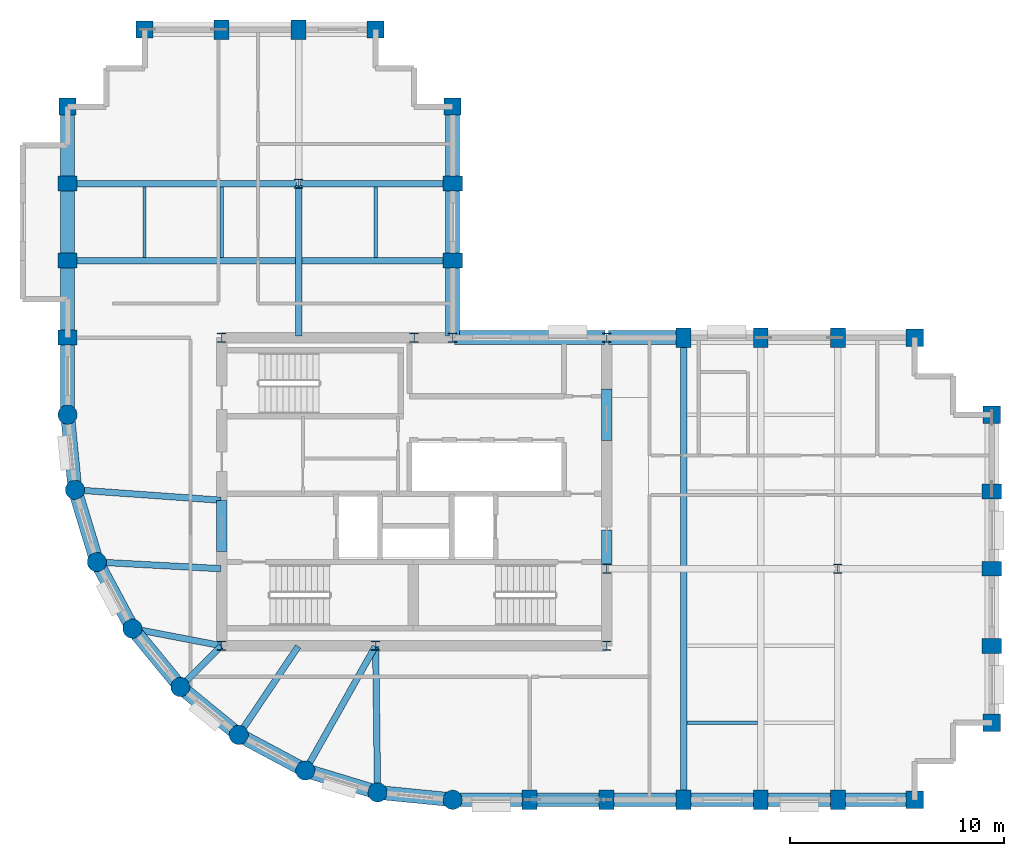
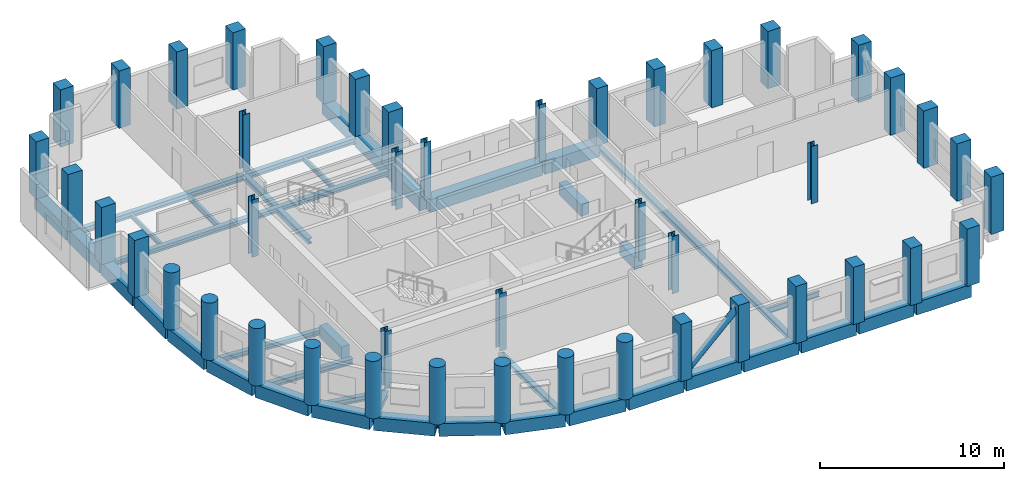
# One storey, part 1 of 8: 45 columns, 42 beams, 1 member.
"""IFC4 building model written with IfcOpenShell, lengths in metres."""

from ifc_helpers import new_model, si_unit, direction, frame, origin, origin_2d, place, context, subcontext, project, spatial, rectangle, circle, hollow_circle, i_section, extrude, material, material_profile, profile_set, type_object, element, save


model = new_model("IFC4")

# Units and contexts
model_context = context("Model", 3, precision=1e-05, world=origin(), true_north=direction((0.0, 1.0)))
body_context = subcontext(model_context, "Body", "Model", "MODEL_VIEW")
ifc_project = project(units=[si_unit("LENGTHUNIT", "METRE"), si_unit("AREAUNIT", "SQUARE_METRE"), si_unit("VOLUMEUNIT", "CUBIC_METRE"), si_unit("PLANEANGLEUNIT", "RADIAN"), si_unit("MASSUNIT", "GRAM", prefix="KILO")], contexts=[model_context])

# Site, building, storey
site_placement = place(None, origin())
site = spatial("IfcSite", under=ifc_project, at=site_placement, CompositionType="ELEMENT")
building_placement = place(site_placement, origin())
building = spatial("IfcBuilding", under=site, at=building_placement, Name="Solnavia Interchange Tower", CompositionType="ELEMENT")
storey_placement = place(building_placement, frame((0.0, 0.0, 197.60009765625)))
storey = spatial("IfcBuildingStorey", under=building, at=storey_placement, Name="L49", CompositionType="ELEMENT", Elevation=197.60009765625)

# Columns
ifc_material_1 = material(Name="Concrete C50/60", Category="concrete")
ifc_material_profile_1 = material_profile(ifc_material_1, rectangle(XDim=0.800048828125, YDim=0.800048828125, at=origin_2d()), Name="RC 800x800")
ifc_profile_set_1 = profile_set([ifc_material_profile_1], Name="Concrete C50/60")
column_type_1 = type_object("IfcColumnType", Name="Col-RC-800x800", PredefinedType="COLUMN", material=ifc_profile_set_1)
for number, where, z_axis, x_axis, name in (
    (1, (7.199951171875, 36.0, 0.0), (0.0, 0.0, 1.0), (0.0, 1.0, 0.0), "COL-L49-05 Tower corner column"),
    (2, (10.800048828125, 39.60009765625, 0.0), (0.0, 0.0, 1.0), (1.0, 0.0, 0.0), "COL-L49-09 Tower corner column"),
    (3, (21.60009765625, 39.60009765625, 0.0), (0.0, 0.0, 1.0), (1.0, 0.0, 0.0), "COL-L49-19 Tower corner column"),
    (4, (25.199951171875, 36.0, 0.0), (0.0, 0.0, 1.0), (0.0, 1.0, 0.0), "COL-L49-26 Tower corner column"),
    (5, (46.800048828125, 3.60009765625, 0.0), (0.0, 0.0, 1.0), (1.0, 0.0, 0.0), "COL-L49-39 Tower corner column"),
    (6, (46.800048828125, 25.199951171875, 0.0), (0.0, 0.0, 1.0), (1.0, 0.0, 0.0), "COL-L49-40 Tower corner column"),
    (7, (50.39990234375, 7.199951171875, 0.0), (0.0, 0.0, 1.0), (1.0, 0.0, 0.0), "COL-L49-41 Tower corner column"),
    (8, (50.39990234375, 21.60009765625, 0.0), (0.0, 0.0, 1.0), (0.0, 1.0, 0.0), "COL-L49-45 Tower corner column"),
):
    element("IfcColumn", number, at=place(storey_placement, frame(where, z_axis=z_axis, x_axis=x_axis)), inside=storey, type_object=column_type_1, Name=name, PredefinedType="COLUMN", context=body_context, shape_type="SweptSolid", body=[
        extrude(rectangle(XDim=0.800048828125, YDim=0.800048828125, at=origin_2d()), origin(), (0.0, 0.0, 1.0), 3.7998046875),
    ])
ifc_material_profile_2 = material_profile(ifc_material_1, rectangle(XDim=0.699951171875, YDim=0.89990234375, at=origin_2d()), Name="RC 900x700")
ifc_profile_set_2 = profile_set([ifc_material_profile_2], Name="Concrete C50/60")
column_type_2 = type_object("IfcColumnType", Name="Col-RC-900x700", PredefinedType="COLUMN", material=ifc_profile_set_2)
for number, where, z_axis, x_axis, name in (
    (9, (7.199951171875, 25.199951171875, 0.0), (0.0, 0.0, 1.0), (0.0, 1.0, 0.0), "COL-L49-02 Tower perim y column"),
    (10, (7.199951171875, 28.800048828125, 0.0), (0.0, 0.0, 1.0), (0.0, 1.0, 0.0), "COL-L49-03 Tower perim y column"),
    (11, (7.199951171875, 32.39990234375, 0.0), (0.0, 0.0, 1.0), (0.0, 1.0, 0.0), "COL-L49-04 Tower perim y column"),
    (12, (14.39990234375, 39.60009765625, 0.0), (0.0, 0.0, 1.0), (1.0, 0.0, 0.0), "COL-L49-13 Tower perim x column"),
    (13, (18.0, 39.60009765625, 0.0), (0.0, 0.0, 1.0), (1.0, 0.0, 0.0), "COL-L49-16 Tower perim x column"),
    (14, (25.199951171875, 28.800048828125, 0.0), (0.0, 0.0, 1.0), (0.0, 1.0, 0.0), "COL-L49-24 Tower perim y column"),
    (15, (25.199951171875, 32.39990234375, 0.0), (0.0, 0.0, 1.0), (0.0, 1.0, 0.0), "COL-L49-25 Tower perim y column"),
    (16, (28.800048828125, 3.60009765625, 0.0), (0.0, 0.0, 1.0), (1.0, 0.0, 0.0), "COL-L49-27 Tower perim x column"),
    (17, (32.39990234375, 3.60009765625, 0.0), (0.0, 0.0, 1.0), (1.0, 0.0, 0.0), "COL-L49-28 Tower perim x column"),
    (18, (36.0, 3.60009765625, 0.0), (0.0, 0.0, 1.0), (1.0, 0.0, 0.0), "COL-L49-32 Tower perim x column"),
    (19, (36.0, 25.199951171875, 0.0), (0.0, 0.0, 1.0), (1.0, 0.0, 0.0), "COL-L49-33 Tower perim x column"),
    (20, (39.60009765625, 3.60009765625, 0.0), (0.0, 0.0, 1.0), (1.0, 0.0, 0.0), "COL-L49-34 Tower perim x column"),
    (21, (39.60009765625, 25.199951171875, 0.0), (0.0, 0.0, 1.0), (1.0, 0.0, 0.0), "COL-L49-35 Tower perim x column"),
    (22, (43.199951171875, 3.60009765625, 0.0), (0.0, 0.0, 1.0), (1.0, 0.0, 0.0), "COL-L49-36 Tower perim x column"),
    (23, (43.199951171875, 25.199951171875, 0.0), (0.0, 0.0, 1.0), (1.0, 0.0, 0.0), "COL-L49-38 Tower perim x column"),
    (24, (50.39990234375, 10.800048828125, 0.0), (0.0, 0.0, 1.0), (0.0, 1.0, 0.0), "COL-L49-42 Tower perim y column"),
    (25, (50.39990234375, 14.39990234375, 0.0), (0.0, 0.0, 1.0), (0.0, 1.0, 0.0), "COL-L49-43 Tower perim y column"),
    (26, (50.39990234375, 18.0, 0.0), (0.0, 0.0, 1.0), (0.0, 1.0, 0.0), "COL-L49-44 Tower perim y column"),
):
    element("IfcColumn", number, at=place(storey_placement, frame(where, z_axis=z_axis, x_axis=x_axis)), inside=storey, type_object=column_type_2, Name=name, PredefinedType="COLUMN", context=body_context, shape_type="SweptSolid", body=[
        extrude(rectangle(XDim=0.699951171875, YDim=0.89990234375, at=origin_2d()), origin(), (0.0, 0.0, 1.0), 3.7998046875),
    ])
ifc_material_profile_3 = material_profile(ifc_material_1, circle(Radius=0.449951171875, at=origin_2d()), Name="RC D900")
ifc_profile_set_3 = profile_set([ifc_material_profile_3], Name="Concrete C50/60")
column_type_3 = type_object("IfcColumnType", Name="Col-RC-D900", PredefinedType="COLUMN", material=ifc_profile_set_3)
for number, where, z_axis, x_axis, name in (
    (27, (7.199951171875, 21.60009765625, 0.0), (0.0, 0.0, 1.0), (1.0, 0.0, 0.0), "COL-L49-01 Tower drum column"),
    (28, (7.5458984375, 18.087890625, 0.0), (0.0, 0.0, 1.0), (1.0, 0.0, 0.0), "COL-L49-06 Tower drum column"),
    (29, (8.570068359375, 14.7119140625, 0.0), (0.0, 0.0, 1.0), (1.0, 0.0, 0.0), "COL-L49-07 Tower drum column"),
    (30, (10.23388671875, 11.60009765625, 0.0), (0.0, 0.0, 1.0), (1.0, 0.0, 0.0), "COL-L49-08 Tower drum column"),
    (31, (12.471923828125, 8.8720703125, 0.0), (0.0, 0.0, 1.0), (1.0, 0.0, 0.0), "COL-L49-10 Tower drum column"),
    (32, (15.199951171875, 6.634033203125, 0.0), (0.0, 0.0, 1.0), (1.0, 0.0, 0.0), "COL-L49-14 Tower drum column"),
    (33, (18.31201171875, 4.969970703125, 0.0), (0.0, 0.0, 1.0), (1.0, 0.0, 0.0), "COL-L49-17 Tower drum column"),
    (34, (21.68798828125, 3.946044921875, 0.0), (0.0, 0.0, 1.0), (1.0, 0.0, 0.0), "COL-L49-20 Tower drum column"),
    (35, (25.199951171875, 3.60009765625, 0.0), (0.0, 0.0, 1.0), (1.0, 0.0, 0.0), "COL-L49-22 Tower drum column"),
):
    element("IfcColumn", number, at=place(storey_placement, frame(where, z_axis=z_axis, x_axis=x_axis)), inside=storey, type_object=column_type_3, Name=name, PredefinedType="COLUMN", context=body_context, shape_type="SweptSolid", body=[
        extrude(circle(Radius=0.449951171875, at=origin_2d()), origin(), (0.0, 0.0, 1.0), 3.7998046875),
    ])
ifc_material_2 = material(Name="Steel S355", Category="steel")
ifc_material_profile_4 = material_profile(ifc_material_2, i_section(OverallWidth=0.416015625, OverallDepth=0.44189453125, WebThickness=0.02490234375, FlangeThickness=0.041015625, FilletRadius=0.014892578125, at=origin_2d()), Name="HD 400x382")
ifc_profile_set_4 = profile_set([ifc_material_profile_4], Name="Steel S355")
column_type_4 = type_object("IfcColumnType", Name="Col-Steel-HD400x382", PredefinedType="COLUMN", material=ifc_profile_set_4)
for number, where, z_axis, x_axis, name in (
    (36, (14.39990234375, 10.800048828125, 0.0), (0.0, 0.0, 1.0), (1.0, 0.0, 0.0), "COL-L49-11 Tower interior column"),
    (37, (14.39990234375, 25.199951171875, 0.0), (0.0, 0.0, 1.0), (1.0, 0.0, 0.0), "COL-L49-12 Tower interior column"),
    (38, (18.0, 32.39990234375, 0.0), (0.0, 0.0, 1.0), (1.0, 0.0, 0.0), "COL-L49-15 Tower interior column"),
    (39, (21.60009765625, 10.800048828125, 0.0), (0.0, 0.0, 1.0), (1.0, 0.0, 0.0), "COL-L49-18 Tower interior column"),
    (40, (23.39990234375, 25.199951171875, 0.0), (0.0, 0.0, 1.0), (1.0, 0.0, 0.0), "COL-L49-21 Tower interior column"),
    (41, (25.199951171875, 25.199951171875, 0.0), (0.0, 0.0, 1.0), (1.0, 0.0, 0.0), "COL-L49-23 Tower interior column"),
    (42, (32.39990234375, 10.800048828125, 0.0), (0.0, 0.0, 1.0), (1.0, 0.0, 0.0), "COL-L49-29 Tower interior column"),
    (43, (32.39990234375, 14.39990234375, 0.0), (0.0, 0.0, 1.0), (1.0, 0.0, 0.0), "COL-L49-30 Tower interior column"),
    (44, (32.39990234375, 25.199951171875, 0.0), (0.0, 0.0, 1.0), (1.0, 0.0, 0.0), "COL-L49-31 Tower interior column"),
    (45, (43.199951171875, 14.39990234375, 0.0), (0.0, 0.0, 1.0), (1.0, 0.0, 0.0), "COL-L49-37 Tower interior column"),
):
    element("IfcColumn", number, at=place(storey_placement, frame(where, z_axis=z_axis, x_axis=x_axis)), inside=storey, type_object=column_type_4, Name=name, PredefinedType="COLUMN", context=body_context, shape_type="SweptSolid", body=[
        extrude(i_section(OverallWidth=0.416015625, OverallDepth=0.44189453125, WebThickness=0.02490234375, FlangeThickness=0.041015625, FilletRadius=0.014892578125, at=origin_2d()), origin(), (0.0, 0.0, 1.0), 3.7998046875),
    ])

# Beams
ifc_material_profile_5 = material_profile(ifc_material_1, rectangle(XDim=0.5, YDim=0.800048828125, at=origin_2d()), Name="RC 500x800")
ifc_profile_set_5 = profile_set([ifc_material_profile_5], Name="Concrete C50/60")
beam_type_1 = type_object("IfcBeamType", Name="Beam-Coupling-RC500x800", PredefinedType="LINTEL", material=ifc_profile_set_5)
beam_1_placement = place(storey_placement, frame((14.39990234375, 15.199951171875, -0.400146484375), z_axis=(0.0, 1.0, 0.0), x_axis=(-1.0, 0.0, 0.0)))
element("IfcBeam", 46, at=beam_1_placement, inside=storey, type_object=beam_type_1, Name="CPB-L49-W1 Core coupling lintel beam", PredefinedType="LINTEL", context=body_context, shape_type="SweptSolid", body=[
    extrude(rectangle(XDim=0.5, YDim=0.800048828125, at=origin_2d()), origin(), (0.0, 0.0, 1.0), 2.400146484375),
])
beam_2_placement = place(storey_placement, frame((32.39990234375, 14.60009765625, -0.400146484375), z_axis=(0.0, 1.0, 0.0), x_axis=(-1.0, 0.0, 0.0)))
element("IfcBeam", 47, at=beam_2_placement, inside=storey, type_object=beam_type_1, Name="CPB-L49-E1 Core coupling lintel beam", PredefinedType="LINTEL", context=body_context, shape_type="SweptSolid", body=[
    extrude(rectangle(XDim=0.5, YDim=0.800048828125, at=origin_2d()), origin(), (0.0, 0.0, 1.0), 1.599853515625),
])
beam_3_placement = place(storey_placement, frame((32.39990234375, 20.39990234375, -0.400146484375), z_axis=(0.0, 1.0, 0.0), x_axis=(-1.0, 0.0, 0.0)))
element("IfcBeam", 48, at=beam_3_placement, inside=storey, type_object=beam_type_1, Name="CPB-L49-E2 Core coupling lintel beam", PredefinedType="LINTEL", context=body_context, shape_type="SweptSolid", body=[
    extrude(rectangle(XDim=0.5, YDim=0.800048828125, at=origin_2d()), origin(), (0.0, 0.0, 1.0), 2.400146484375),
])
ifc_material_3 = material(Name="Steel S460", Category="steel")
ifc_material_profile_6 = material_profile(ifc_material_3, i_section(OverallWidth=0.300048828125, OverallDepth=0.360107421875, WebThickness=0.012451171875, FlangeThickness=0.0224609375, FilletRadius=0.027099609375, at=origin_2d()), Name="HEB 360")
ifc_profile_set_6 = profile_set([ifc_material_profile_6], Name="Steel S460")
beam_type_2 = type_object("IfcBeamType", Name="Beam-Girder-HEB360", PredefinedType="BEAM", material=ifc_profile_set_6)
beam_4_placement = place(storey_placement, frame((18.0, 25.280029296875, -0.43017578125), z_axis=(0.0, 1.0, 0.0), x_axis=(-1.0, 0.0, 0.0)))
element("IfcBeam", 49, at=beam_4_placement, inside=storey, type_object=beam_type_2, Name="GRD-L49-NS07 North wing spine girder", PredefinedType="BEAM", context=body_context, shape_type="SweptSolid", body=[
    extrude(i_section(OverallWidth=0.300048828125, OverallDepth=0.360107421875, WebThickness=0.012451171875, FlangeThickness=0.0224609375, FilletRadius=0.027099609375, at=origin_2d()), origin(), (0.0, 0.0, 1.0), 7.0400390625),
])
beam_5_placement = place(storey_placement, frame((7.280029296875, 32.39990234375, -0.43017578125), z_axis=(1.0, 0.0, 0.0), x_axis=(0.0, 1.0, 0.0)))
element("IfcBeam", 50, at=beam_5_placement, inside=storey, type_object=beam_type_2, Name="GRD-L49-NW10 North wing primary floor girder", PredefinedType="BEAM", context=body_context, shape_type="SweptSolid", body=[
    extrude(i_section(OverallWidth=0.300048828125, OverallDepth=0.360107421875, WebThickness=0.012451171875, FlangeThickness=0.0224609375, FilletRadius=0.027099609375, at=origin_2d()), origin(), (0.0, 0.0, 1.0), 10.639892578125),
])
beam_6_placement = place(storey_placement, frame((18.080078125, 32.39990234375, -0.43017578125), z_axis=(1.0, 0.0, 0.0), x_axis=(0.0, 1.0, 0.0)))
element("IfcBeam", 51, at=beam_6_placement, inside=storey, type_object=beam_type_2, Name="GRD-L49-NW11 North wing primary floor girder", PredefinedType="BEAM", context=body_context, shape_type="SweptSolid", body=[
    extrude(i_section(OverallWidth=0.300048828125, OverallDepth=0.360107421875, WebThickness=0.012451171875, FlangeThickness=0.0224609375, FilletRadius=0.027099609375, at=origin_2d()), origin(), (0.0, 0.0, 1.0), 7.0400390625),
])
beam_7_placement = place(storey_placement, frame((8.64990234375, 14.707763671875, -0.43017578125), z_axis=(0.998570371303, -0.053452909696, 0.0), x_axis=(0.053452909696, 0.998570371303, 0.0)))
element("IfcBeam", 52, at=beam_7_placement, inside=storey, type_object=beam_type_2, Name="GRD-L49-DR13 Drum radial floor girder", PredefinedType="BEAM", context=body_context, shape_type="SweptSolid", body=[
    extrude(i_section(OverallWidth=0.300048828125, OverallDepth=0.360107421875, WebThickness=0.012451171875, FlangeThickness=0.0224609375, FilletRadius=0.027099609375, at=origin_2d()), origin(), (0.0, 0.0, 1.0), 5.71826171875),
])
beam_8_placement = place(storey_placement, frame((15.24462890625, 6.700439453125, -0.43017578125), z_axis=(0.557835474219, 0.829951555033, 0.0), x_axis=(-0.829951555033, 0.557835474219, 0.0)))
element("IfcBeam", 53, at=beam_8_placement, inside=storey, type_object=beam_type_2, Name="GRD-L49-DR16 Drum radial floor girder", PredefinedType="BEAM", context=body_context, shape_type="SweptSolid", body=[
    extrude(i_section(OverallWidth=0.300048828125, OverallDepth=0.360107421875, WebThickness=0.012451171875, FlangeThickness=0.0224609375, FilletRadius=0.027099609375, at=origin_2d()), origin(), (0.0, 0.0, 1.0), 4.899658203125),
])
ifc_material_profile_7 = material_profile(ifc_material_2, i_section(OverallWidth=0.14990234375, OverallDepth=0.300048828125, WebThickness=0.007080078125, FlangeThickness=0.0107421875, FilletRadius=0.014892578125, at=origin_2d()), Name="IPE 300")
ifc_profile_set_7 = profile_set([ifc_material_profile_7], Name="Steel S355")
beam_type_3 = type_object("IfcBeamType", Name="Beam-Joist-IPE300", PredefinedType="JOIST", material=ifc_profile_set_7)
beam_9_placement = place(storey_placement, frame((10.800048828125, 28.949951171875, -0.400146484375), z_axis=(0.0, 1.0, 0.0), x_axis=(-1.0, 0.0, 0.0)))
element("IfcBeam", 54, at=beam_9_placement, inside=storey, type_object=beam_type_3, Name="JST-L49-N09 North wing secondary joist", PredefinedType="JOIST", context=body_context, shape_type="SweptSolid", body=[
    extrude(i_section(OverallWidth=0.14990234375, OverallDepth=0.300048828125, WebThickness=0.007080078125, FlangeThickness=0.0107421875, FilletRadius=0.014892578125, at=origin_2d()), origin(), (0.0, 0.0, 1.0), 3.300048828125),
])
ifc_material_profile_8 = material_profile(ifc_material_2, i_section(OverallWidth=0.159912109375, OverallDepth=0.330078125, WebThickness=0.007568359375, FlangeThickness=0.011474609375, FilletRadius=0.01806640625, at=origin_2d()), Name="IPE 330")
ifc_profile_set_8 = profile_set([ifc_material_profile_8], Name="Steel S355")
beam_type_4 = type_object("IfcBeamType", Name="Beam-Joist-IPE330", PredefinedType="JOIST", material=ifc_profile_set_8)
beam_10_placement = place(storey_placement, frame((21.60009765625, 28.949951171875, -0.4150390625), z_axis=(0.0, 1.0, 0.0), x_axis=(-1.0, 0.0, 0.0)))
element("IfcBeam", 55, at=beam_10_placement, inside=storey, type_object=beam_type_4, Name="JST-L49-N11 North wing secondary joist", PredefinedType="JOIST", context=body_context, shape_type="SweptSolid", body=[
    extrude(i_section(OverallWidth=0.159912109375, OverallDepth=0.330078125, WebThickness=0.007568359375, FlangeThickness=0.011474609375, FilletRadius=0.01806640625, at=origin_2d()), origin(), (0.0, 0.0, 1.0), 3.300048828125),
])
ifc_material_profile_9 = material_profile(ifc_material_2, i_section(OverallWidth=0.169921875, OverallDepth=0.360107421875, WebThickness=0.008056640625, FlangeThickness=0.0126953125, FilletRadius=0.01806640625, at=origin_2d()), Name="IPE 360")
ifc_profile_set_9 = profile_set([ifc_material_profile_9], Name="Steel S355")
beam_type_5 = type_object("IfcBeamType", Name="Beam-Joist-IPE360", PredefinedType="JOIST", material=ifc_profile_set_9)
for number, where, z_axis, x_axis, name in (
    (56, (36.14990234375, 7.199951171875, -0.43017578125), (1.0, 0.0, 0.0), (0.0, 1.0, 0.0), "JST-L49-E01 East wing secondary joist"),
    (57, (14.39990234375, 28.949951171875, -0.43017578125), (0.0, 1.0, 0.0), (-1.0, 0.0, 0.0), "JST-L49-N10 North wing secondary joist"),
):
    element("IfcBeam", number, at=place(storey_placement, frame(where, z_axis=z_axis, x_axis=x_axis)), inside=storey, type_object=beam_type_5, Name=name, PredefinedType="JOIST", context=body_context, shape_type="SweptSolid", body=[
        extrude(i_section(OverallWidth=0.169921875, OverallDepth=0.360107421875, WebThickness=0.008056640625, FlangeThickness=0.0126953125, FilletRadius=0.01806640625, at=origin_2d()), origin(), (0.0, 0.0, 1.0), 3.300048828125),
    ])
ifc_material_profile_10 = material_profile(ifc_material_2, i_section(OverallWidth=0.300048828125, OverallDepth=0.31005859375, WebThickness=0.009033203125, FlangeThickness=0.015380859375, FilletRadius=0.027099609375, at=origin_2d()), Name="HEA 320")
ifc_profile_set_10 = profile_set([ifc_material_profile_10], Name="Steel S355")
beam_type_6 = type_object("IfcBeamType", Name="Beam-Primary-HEA320", PredefinedType="BEAM", material=ifc_profile_set_10)
beam_11_placement = place(storey_placement, frame((36.0, 3.679931640625, -0.405029296875), z_axis=(0.0, 1.0, 0.0), x_axis=(-1.0, 0.0, 0.0)))
element("IfcBeam", 58, at=beam_11_placement, inside=storey, type_object=beam_type_6, Name="GRD-L49-EW03 East wing primary floor girder", PredefinedType="BEAM", context=body_context, shape_type="SweptSolid", body=[
    extrude(i_section(OverallWidth=0.300048828125, OverallDepth=0.31005859375, WebThickness=0.009033203125, FlangeThickness=0.015380859375, FilletRadius=0.027099609375, at=origin_2d()), origin(), (0.0, 0.0, 1.0), 21.440185546875),
])
beam_12_placement = place(storey_placement, frame((7.280029296875, 28.800048828125, -0.405029296875), z_axis=(1.0, 0.0, 0.0), x_axis=(0.0, 1.0, 0.0)))
element("IfcBeam", 59, at=beam_12_placement, inside=storey, type_object=beam_type_6, Name="GRD-L49-NW09 North wing primary floor girder", PredefinedType="BEAM", context=body_context, shape_type="SweptSolid", body=[
    extrude(i_section(OverallWidth=0.300048828125, OverallDepth=0.31005859375, WebThickness=0.009033203125, FlangeThickness=0.015380859375, FilletRadius=0.027099609375, at=origin_2d()), origin(), (0.0, 0.0, 1.0), 17.840087890625),
])
beam_13_placement = place(storey_placement, frame((7.625732421875, 18.082275390625, -0.405029296875), z_axis=(0.99747482749, -0.071020902015, 0.0), x_axis=(0.071020902015, 0.99747482749, 0.0)))
element("IfcBeam", 60, at=beam_13_placement, inside=storey, type_object=beam_type_6, Name="GRD-L49-DR12 Drum radial floor girder", PredefinedType="BEAM", context=body_context, shape_type="SweptSolid", body=[
    extrude(i_section(OverallWidth=0.300048828125, OverallDepth=0.31005859375, WebThickness=0.009033203125, FlangeThickness=0.015380859375, FilletRadius=0.027099609375, at=origin_2d()), origin(), (0.0, 0.0, 1.0), 6.75146484375),
])
beam_14_placement = place(storey_placement, frame((12.528564453125, 8.9287109375, -0.405029296875), z_axis=(0.707106781187, 0.707106781187, 0.0), x_axis=(-0.707106781187, 0.707106781187, 0.0)))
element("IfcBeam", 61, at=beam_14_placement, inside=storey, type_object=beam_type_6, Name="GRD-L49-DR15 Drum radial floor girder", PredefinedType="BEAM", context=body_context, shape_type="SweptSolid", body=[
    extrude(i_section(OverallWidth=0.300048828125, OverallDepth=0.31005859375, WebThickness=0.009033203125, FlangeThickness=0.015380859375, FilletRadius=0.027099609375, at=origin_2d()), origin(), (0.0, 0.0, 1.0), 2.6064453125),
])
beam_15_placement = place(storey_placement, frame((21.68701171875, 4.02587890625, -0.405029296875), z_axis=(-0.01283293513, 0.999917654498, 0.0), x_axis=(-0.999917654498, -0.01283293513, 0.0)))
element("IfcBeam", 62, at=beam_15_placement, inside=storey, type_object=beam_type_6, Name="GRD-L49-DR18 Drum radial floor girder", PredefinedType="BEAM", context=body_context, shape_type="SweptSolid", body=[
    extrude(i_section(OverallWidth=0.300048828125, OverallDepth=0.31005859375, WebThickness=0.009033203125, FlangeThickness=0.015380859375, FilletRadius=0.027099609375, at=origin_2d()), origin(), (0.0, 0.0, 1.0), 6.734619140625),
])
ifc_material_profile_11 = material_profile(ifc_material_2, i_section(OverallWidth=0.300048828125, OverallDepth=0.35009765625, WebThickness=0.010009765625, FlangeThickness=0.017578125, FilletRadius=0.027099609375, at=origin_2d()), Name="HEA 360")
ifc_profile_set_11 = profile_set([ifc_material_profile_11], Name="Steel S355")
beam_type_7 = type_object("IfcBeamType", Name="Beam-Primary-HEA360", PredefinedType="BEAM", material=ifc_profile_set_11)
beam_16_placement = place(storey_placement, frame((10.3125, 11.5849609375, -0.425048828125), z_axis=(0.982057527796, -0.188581579428, 0.0), x_axis=(0.188581579428, 0.982057527796, 0.0)))
element("IfcBeam", 63, at=beam_16_placement, inside=storey, type_object=beam_type_7, Name="GRD-L49-DR14 Drum radial floor girder", PredefinedType="BEAM", context=body_context, shape_type="SweptSolid", body=[
    extrude(i_section(OverallWidth=0.300048828125, OverallDepth=0.35009765625, WebThickness=0.010009765625, FlangeThickness=0.017578125, FilletRadius=0.027099609375, at=origin_2d()), origin(), (0.0, 0.0, 1.0), 4.1220703125),
])
beam_17_placement = place(storey_placement, frame((18.351318359375, 5.039794921875, -0.425048828125), z_axis=(0.491243158486, 0.871022479182, 0.0), x_axis=(-0.871022479182, 0.491243158486, 0.0)))
element("IfcBeam", 64, at=beam_17_placement, inside=storey, type_object=beam_type_7, Name="GRD-L49-DR17 Drum radial floor girder", PredefinedType="BEAM", context=body_context, shape_type="SweptSolid", body=[
    extrude(i_section(OverallWidth=0.300048828125, OverallDepth=0.35009765625, WebThickness=0.010009765625, FlangeThickness=0.017578125, FilletRadius=0.027099609375, at=origin_2d()), origin(), (0.0, 0.0, 1.0), 6.5732421875),
])
ifc_material_profile_12 = material_profile(ifc_material_1, rectangle(XDim=0.64990234375, YDim=0.85009765625, at=origin_2d()), Name="RC 650x850")
ifc_profile_set_12 = profile_set([ifc_material_profile_12], Name="Concrete C50/60")
beam_type_8 = type_object("IfcBeamType", Name="Beam-Spandrel-RC650x850", PredefinedType="SPANDREL", material=ifc_profile_set_12)
beam_18_placement = place(storey_placement, frame((7.207763671875, 21.5205078125, -0.425048828125), z_axis=(0.098040038117, -0.995182471171, 0.0), x_axis=(0.995182471171, 0.098040038117, 0.0)))
element("IfcBeam", 65, at=beam_18_placement, inside=storey, type_object=beam_type_8, Name="SPB-L49-01 Framed-tube perimeter spandrel beam", PredefinedType="SPANDREL", context=body_context, shape_type="SweptSolid", body=[
    extrude(rectangle(XDim=0.64990234375, YDim=0.85009765625, at=origin_2d()), origin(), (0.0, 0.0, 1.0), 3.369140625),
])
beam_19_placement = place(storey_placement, frame((7.569091796875, 18.011474609375, -0.425048828125), z_axis=(0.290319223646, -0.956929855518, 0.0), x_axis=(0.956929855518, 0.290319223646, 0.0)))
element("IfcBeam", 66, at=beam_19_placement, inside=storey, type_object=beam_type_8, Name="SPB-L49-02 Framed-tube perimeter spandrel beam", PredefinedType="SPANDREL", context=body_context, shape_type="SweptSolid", body=[
    extrude(rectangle(XDim=0.64990234375, YDim=0.85009765625, at=origin_2d()), origin(), (0.0, 0.0, 1.0), 3.367919921875),
])
beam_20_placement = place(storey_placement, frame((8.607666015625, 14.6416015625, -0.425048828125), z_axis=(0.471509422952, -0.881861023102, 0.0), x_axis=(0.881861023102, 0.471509422952, 0.0)))
element("IfcBeam", 67, at=beam_20_placement, inside=storey, type_object=beam_type_8, Name="SPB-L49-03 Framed-tube perimeter spandrel beam", PredefinedType="SPANDREL", context=body_context, shape_type="SweptSolid", body=[
    extrude(rectangle(XDim=0.64990234375, YDim=0.85009765625, at=origin_2d()), origin(), (0.0, 0.0, 1.0), 3.369140625),
])
for number, where, z_axis, x_axis, name in (
    (68, (10.28466796875, 11.5380859375, -0.425048828125), (0.634298841675, -0.773087950656, 0.0), (0.773087950656, 0.634298841675, 0.0), "SPB-L49-04 Framed-tube perimeter spandrel beam"),
    (69, (12.53369140625, 8.8212890625, -0.425048828125), (0.773152644452, -0.634219984214, 0.0), (0.634219984214, 0.773152644452, 0.0), "SPB-L49-05 Framed-tube perimeter spandrel beam"),
):
    element("IfcBeam", number, at=place(storey_placement, frame(where, z_axis=z_axis, x_axis=x_axis)), inside=storey, type_object=beam_type_8, Name=name, PredefinedType="SPANDREL", context=body_context, shape_type="SweptSolid", body=[
        extrude(rectangle(XDim=0.64990234375, YDim=0.85009765625, at=origin_2d()), origin(), (0.0, 0.0, 1.0), 3.36865234375),
    ])
beam_21_placement = place(storey_placement, frame((15.2705078125, 6.59619140625, -0.425048828125), z_axis=(0.881875044348, -0.47148319817, 0.0), x_axis=(0.47148319817, 0.881875044348, 0.0)))
element("IfcBeam", 70, at=beam_21_placement, inside=storey, type_object=beam_type_8, Name="SPB-L49-06 Framed-tube perimeter spandrel beam", PredefinedType="SPANDREL", context=body_context, shape_type="SweptSolid", body=[
    extrude(rectangle(XDim=0.64990234375, YDim=0.85009765625, at=origin_2d()), origin(), (0.0, 0.0, 1.0), 3.368896484375),
])
beam_22_placement = place(storey_placement, frame((18.388671875, 4.94677734375, -0.425048828125), z_axis=(0.956943884494, -0.290272978297, 0.0), x_axis=(0.290272978297, 0.956943884494, 0.0)))
element("IfcBeam", 71, at=beam_22_placement, inside=storey, type_object=beam_type_8, Name="SPB-L49-07 Framed-tube perimeter spandrel beam", PredefinedType="SPANDREL", context=body_context, shape_type="SweptSolid", body=[
    extrude(rectangle(XDim=0.64990234375, YDim=0.85009765625, at=origin_2d()), origin(), (0.0, 0.0, 1.0), 3.36767578125),
])
beam_23_placement = place(storey_placement, frame((21.767578125, 3.938232421875, -0.425048828125), z_axis=(0.995181774609, -0.098047108501, 0.0), x_axis=(0.098047108501, 0.995181774609, 0.0)))
element("IfcBeam", 72, at=beam_23_placement, inside=storey, type_object=beam_type_8, Name="SPB-L49-08 Framed-tube perimeter spandrel beam", PredefinedType="SPANDREL", context=body_context, shape_type="SweptSolid", body=[
    extrude(rectangle(XDim=0.64990234375, YDim=0.85009765625, at=origin_2d()), origin(), (0.0, 0.0, 1.0), 3.368896484375),
])
beam_24_placement = place(storey_placement, frame((25.280029296875, 3.60009765625, -0.425048828125), z_axis=(1.0, 0.0, 0.0), x_axis=(0.0, 1.0, 0.0)))
element("IfcBeam", 73, at=beam_24_placement, inside=storey, type_object=beam_type_8, Name="SPB-L49-09 Framed-tube perimeter spandrel beam", PredefinedType="SPANDREL", context=body_context, shape_type="SweptSolid", body=[
    extrude(rectangle(XDim=0.64990234375, YDim=0.85009765625, at=origin_2d()), origin(), (0.0, 0.0, 1.0), 3.43994140625),
])
beam_25_placement = place(storey_placement, frame((28.8798828125, 3.60009765625, -0.425048828125), z_axis=(1.0, 0.0, 0.0), x_axis=(0.0, 1.0, 0.0)))
element("IfcBeam", 74, at=beam_25_placement, inside=storey, type_object=beam_type_8, Name="SPB-L49-10 Framed-tube perimeter spandrel beam", PredefinedType="SPANDREL", context=body_context, shape_type="SweptSolid", body=[
    extrude(rectangle(XDim=0.64990234375, YDim=0.85009765625, at=origin_2d()), origin(), (0.0, 0.0, 1.0), 3.440185546875),
])
for number, where, z_axis, x_axis, name in (
    (75, (32.47998046875, 3.60009765625, -0.425048828125), (1.0, 0.0, 0.0), (0.0, 1.0, 0.0), "SPB-L49-11 Framed-tube perimeter spandrel beam"),
    (76, (36.080078125, 3.60009765625, -0.425048828125), (1.0, 0.0, 0.0), (0.0, 1.0, 0.0), "SPB-L49-12 Framed-tube perimeter spandrel beam"),
):
    element("IfcBeam", number, at=place(storey_placement, frame(where, z_axis=z_axis, x_axis=x_axis)), inside=storey, type_object=beam_type_8, Name=name, PredefinedType="SPANDREL", context=body_context, shape_type="SweptSolid", body=[
        extrude(rectangle(XDim=0.64990234375, YDim=0.85009765625, at=origin_2d()), origin(), (0.0, 0.0, 1.0), 3.43994140625),
    ])
beam_26_placement = place(storey_placement, frame((39.679931640625, 3.60009765625, -0.425048828125), z_axis=(1.0, 0.0, 0.0), x_axis=(0.0, 1.0, 0.0)))
element("IfcBeam", 77, at=beam_26_placement, inside=storey, type_object=beam_type_8, Name="SPB-L49-13 Framed-tube perimeter spandrel beam", PredefinedType="SPANDREL", context=body_context, shape_type="SweptSolid", body=[
    extrude(rectangle(XDim=0.64990234375, YDim=0.85009765625, at=origin_2d()), origin(), (0.0, 0.0, 1.0), 3.440185546875),
])
for number, where, z_axis, x_axis, name in (
    (78, (43.280029296875, 3.60009765625, -0.425048828125), (1.0, 0.0, 0.0), (0.0, 1.0, 0.0), "SPB-L49-14 Framed-tube perimeter spandrel beam"),
    (79, (35.919921875, 25.199951171875, -0.425048828125), (-1.0, 0.0, 0.0), (0.0, -1.0, 0.0), "SPB-L49-22 Framed-tube perimeter spandrel beam"),
):
    element("IfcBeam", number, at=place(storey_placement, frame(where, z_axis=z_axis, x_axis=x_axis)), inside=storey, type_object=beam_type_8, Name=name, PredefinedType="SPANDREL", context=body_context, shape_type="SweptSolid", body=[
        extrude(rectangle(XDim=0.64990234375, YDim=0.85009765625, at=origin_2d()), origin(), (0.0, 0.0, 1.0), 3.43994140625),
    ])
beam_27_placement = place(storey_placement, frame((32.320068359375, 25.199951171875, -0.425048828125), z_axis=(-1.0, 0.0, 0.0), x_axis=(0.0, -1.0, 0.0)))
element("IfcBeam", 80, at=beam_27_placement, inside=storey, type_object=beam_type_8, Name="SPB-L49-23 Framed-tube perimeter spandrel beam", PredefinedType="SPANDREL", context=body_context, shape_type="SweptSolid", body=[
    extrude(rectangle(XDim=0.64990234375, YDim=0.85009765625, at=origin_2d()), origin(), (0.0, 0.0, 1.0), 7.0400390625),
])
beam_28_placement = place(storey_placement, frame((25.199951171875, 25.280029296875, -0.425048828125), z_axis=(0.0, 1.0, 0.0), x_axis=(-1.0, 0.0, 0.0)))
element("IfcBeam", 81, at=beam_28_placement, inside=storey, type_object=beam_type_8, Name="SPB-L49-24 Framed-tube perimeter spandrel beam", PredefinedType="SPANDREL", context=body_context, shape_type="SweptSolid", body=[
    extrude(rectangle(XDim=0.64990234375, YDim=0.85009765625, at=origin_2d()), origin(), (0.0, 0.0, 1.0), 3.43994140625),
])
beam_29_placement = place(storey_placement, frame((25.199951171875, 28.8798828125, -0.425048828125), z_axis=(0.0, 1.0, 0.0), x_axis=(-1.0, 0.0, 0.0)))
element("IfcBeam", 82, at=beam_29_placement, inside=storey, type_object=beam_type_8, Name="SPB-L49-25 Framed-tube perimeter spandrel beam", PredefinedType="SPANDREL", context=body_context, shape_type="SweptSolid", body=[
    extrude(rectangle(XDim=0.64990234375, YDim=0.85009765625, at=origin_2d()), origin(), (0.0, 0.0, 1.0), 3.440185546875),
])
for number, where, z_axis, x_axis, name in (
    (83, (25.199951171875, 32.47998046875, -0.425048828125), (0.0, 1.0, 0.0), (-1.0, 0.0, 0.0), "SPB-L49-26 Framed-tube perimeter spandrel beam"),
    (84, (7.199951171875, 35.919921875, -0.425048828125), (0.0, -1.0, 0.0), (1.0, 0.0, 0.0), "SPB-L49-30 Framed-tube perimeter spandrel beam"),
):
    element("IfcBeam", number, at=place(storey_placement, frame(where, z_axis=z_axis, x_axis=x_axis)), inside=storey, type_object=beam_type_8, Name=name, PredefinedType="SPANDREL", context=body_context, shape_type="SweptSolid", body=[
        extrude(rectangle(XDim=0.64990234375, YDim=0.85009765625, at=origin_2d()), origin(), (0.0, 0.0, 1.0), 3.43994140625),
    ])
beam_30_placement = place(storey_placement, frame((7.199951171875, 32.320068359375, -0.425048828125), z_axis=(0.0, -1.0, 0.0), x_axis=(1.0, 0.0, 0.0)))
element("IfcBeam", 85, at=beam_30_placement, inside=storey, type_object=beam_type_8, Name="SPB-L49-31 Framed-tube perimeter spandrel beam", PredefinedType="SPANDREL", context=body_context, shape_type="SweptSolid", body=[
    extrude(rectangle(XDim=0.64990234375, YDim=0.85009765625, at=origin_2d()), origin(), (0.0, 0.0, 1.0), 3.440185546875),
])
beam_31_placement = place(storey_placement, frame((7.199951171875, 28.719970703125, -0.425048828125), z_axis=(0.0, -1.0, 0.0), x_axis=(1.0, 0.0, 0.0)))
element("IfcBeam", 86, at=beam_31_placement, inside=storey, type_object=beam_type_8, Name="SPB-L49-32 Framed-tube perimeter spandrel beam", PredefinedType="SPANDREL", context=body_context, shape_type="SweptSolid", body=[
    extrude(rectangle(XDim=0.64990234375, YDim=0.85009765625, at=origin_2d()), origin(), (0.0, 0.0, 1.0), 3.43994140625),
])
beam_32_placement = place(storey_placement, frame((7.199951171875, 25.1201171875, -0.425048828125), z_axis=(0.0, -1.0, 0.0), x_axis=(1.0, 0.0, 0.0)))
element("IfcBeam", 87, at=beam_32_placement, inside=storey, type_object=beam_type_8, Name="SPB-L49-33 Framed-tube perimeter spandrel beam", PredefinedType="SPANDREL", context=body_context, shape_type="SweptSolid", body=[
    extrude(rectangle(XDim=0.64990234375, YDim=0.85009765625, at=origin_2d()), origin(), (0.0, 0.0, 1.0), 3.440185546875),
])

# Member
ifc_material_profile_13 = material_profile(ifc_material_3, hollow_circle(Radius=0.203125, WallThickness=0.02001953125, at=origin_2d()), Name="CHS 406.4x20")
ifc_profile_set_13 = profile_set([ifc_material_profile_13], Name="Steel S460")
member_type = type_object("IfcMemberType", Name="Brace-Perim-CHS406", PredefinedType="BRACE", material=ifc_profile_set_13)
member_placement = place(storey_placement, frame((28.93994140625, 3.60009765625, 0.179931640625), z_axis=(0.721096918576, 0.0, 0.692834203847), x_axis=(0.0, 1.0, 0.0)))
element("IfcMember", 88, at=member_placement, inside=storey, type_object=member_type, Name="BRC-L49-01 Perimeter tube diagonal brace", PredefinedType="BRACE", context=body_context, shape_type="SweptSolid", body=[
    extrude(hollow_circle(Radius=0.203125, WallThickness=0.02001953125, at=origin_2d()), origin(), (0.0, 0.0, 1.0), 4.604248046875),
])

save(model, "model.ifc")
